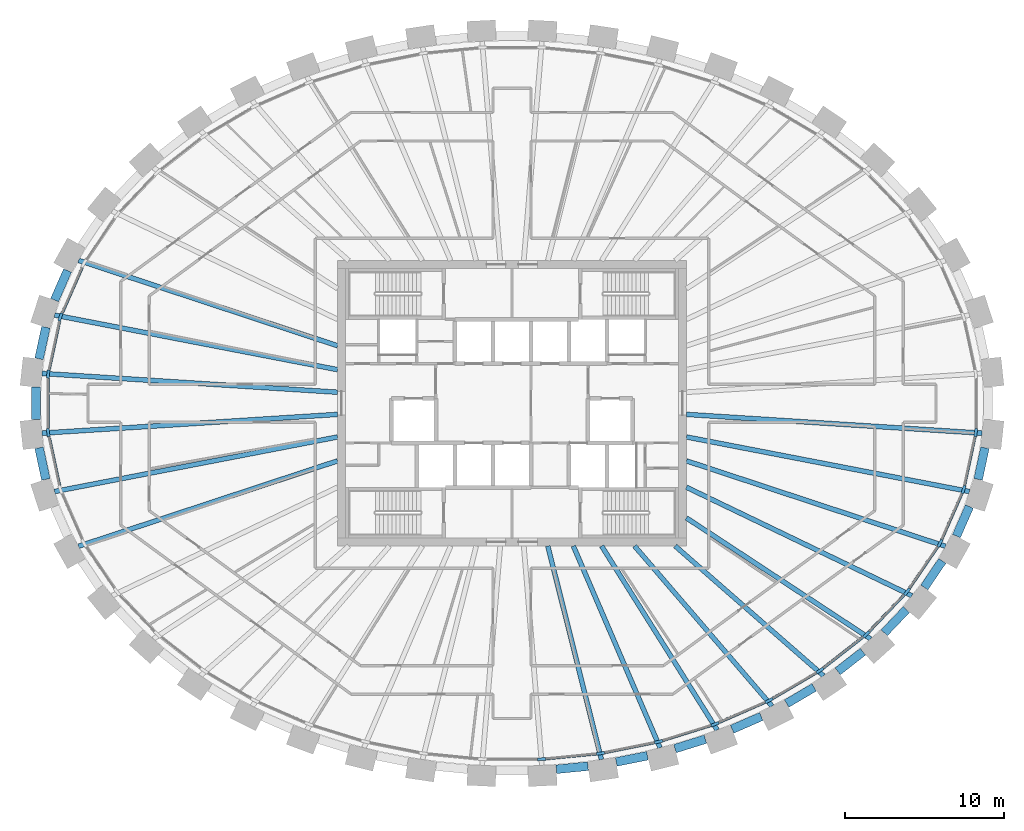
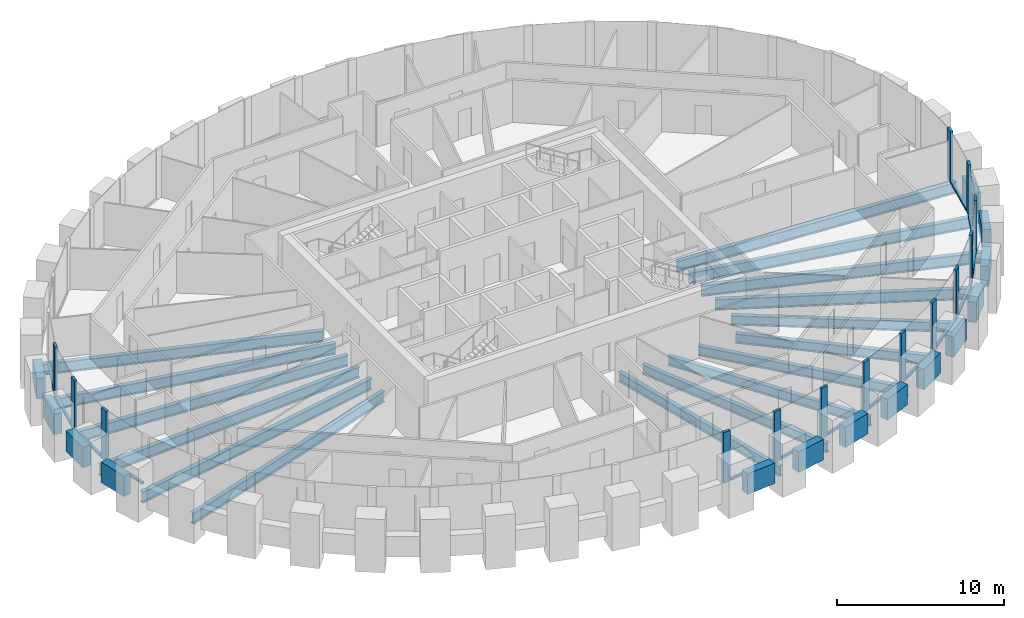
# One storey, part 2 of 11: 30 beams, 28 members, 1 element without a shape of its own.
"""IFC4 building model written with IfcOpenShell, lengths in metres."""

from ifc_helpers import new_model, si_unit, direction, frame, origin, origin_2d, place, context, subcontext, project, spatial, rectangle, i_section, extrude, source, transform, mapped, material, material_profile, profile_set, type_object, element, aggregate, save


model = new_model("IFC4")

# Units and contexts
model_context = context("Model", 3, precision=1e-05, world=origin(), true_north=direction((0.0, 1.0)))
body_context = subcontext(model_context, "Body", "Model", "MODEL_VIEW")
ifc_project = project(units=[si_unit("LENGTHUNIT", "METRE"), si_unit("AREAUNIT", "SQUARE_METRE"), si_unit("VOLUMEUNIT", "CUBIC_METRE"), si_unit("PLANEANGLEUNIT", "RADIAN"), si_unit("MASSUNIT", "GRAM", prefix="KILO")], contexts=[model_context])

# Site, building, storey
site_placement = place(None, origin())
site = spatial("IfcSite", under=ifc_project, at=site_placement, CompositionType="ELEMENT")
building_placement = place(site_placement, origin())
building = spatial("IfcBuilding", under=site, at=building_placement, Name="Embergate Tower", CompositionType="ELEMENT")
storey_placement = place(building_placement, frame((0.0, 0.0, 305.199951171875)))
storey = spatial("IfcBuildingStorey", under=building, at=storey_placement, Name="L71", CompositionType="ELEMENT", Elevation=305.199951171875)

# Beams
ifc_material_1 = material(Name="Concrete C50", Category="concrete")
ifc_material_profile_1 = material_profile(ifc_material_1, rectangle(XDim=0.550048828125, YDim=1.5, at=origin_2d()), Name="RC 550x1500")
ifc_profile_set_1 = profile_set([ifc_material_profile_1], Name="Concrete C50")
beam_type_1 = type_object("IfcBeamType", Name="Spandrel beam RC 550x1500 C50", PredefinedType="BEAM", material=ifc_profile_set_1)
shared_shape_1 = source(origin(), body_context, "Body", "SweptSolid", [
    extrude(rectangle(XDim=0.550048828125, YDim=1.5, at=origin_2d()), origin(), (0.0, 0.0, 1.0), 2.034423828125),
])
for number, where, z_axis, x_axis, name in (
    (1, (-29.39697265625, 4.797119140625, 0.0), (-0.209897885741, -0.977723313398, 0.0), (0.977723313398, -0.209897885741, 0.0), "SPN-L71-20"),
    (2, (-29.823974609375, -2.80810546875, 0.0), (0.209897885741, -0.977723313398, 0.0), (0.977723313398, 0.209897885741, 0.0), "SPN-L71-22"),
    (3, (29.39697265625, -4.797119140625, 0.0), (0.209897885741, 0.977723313398, 0.0), (-0.977723313398, 0.209897885741, 0.0), "SPN-L71-42"),
):
    element("IfcBeam", number, at=place(storey_placement, frame(where, z_axis=z_axis, x_axis=x_axis)), inside=storey, type_object=beam_type_1, Name=name, PredefinedType="BEAM", context=body_context, shape_type="MappedRepresentation", body=[
        mapped(shared_shape_1, transform((0.0, 0.0, 0.0))),
    ])
shared_shape_2 = source(origin(), body_context, "Body", "SweptSolid", [
    extrude(rectangle(XDim=0.550048828125, YDim=1.5, at=origin_2d()), origin(), (0.0, 0.0, 1.0), 2.03125),
])
for number, where, z_axis, x_axis, name in (
    (4, (-28.027099609375, 8.3701171875, 0.0), (-0.401695096335, -0.915773470669, 0.0), (0.915773470669, -0.401695096335, 0.0), "SPN-L71-19"),
    (5, (28.027099609375, -8.3701171875, 0.0), (0.401695096335, 0.915773470669, 0.0), (-0.915773470669, 0.401695096335, 0.0), "SPN-L71-41"),
):
    element("IfcBeam", number, at=place(storey_placement, frame(where, z_axis=z_axis, x_axis=x_axis)), inside=storey, type_object=beam_type_1, Name=name, PredefinedType="BEAM", context=body_context, shape_type="MappedRepresentation", body=[
        mapped(shared_shape_2, transform((0.0, 0.0, 0.0))),
    ])
shared_shape_3 = source(origin(), body_context, "Body", "SweptSolid", [
    extrude(rectangle(XDim=0.550048828125, YDim=1.5, at=origin_2d()), origin(), (0.0, 0.0, 1.0), 2.02392578125),
])
beam_1_placement = place(storey_placement, frame((26.0, -11.60888671875, 0.0), z_axis=(0.562220937061, 0.826987072408, 0.0), x_axis=(-0.826987072408, 0.562220937061, 0.0)))
element("IfcBeam", 6, at=beam_1_placement, inside=storey, type_object=beam_type_1, Name="SPN-L71-40", PredefinedType="BEAM", context=body_context, shape_type="MappedRepresentation", body=[
    mapped(shared_shape_3, transform((0.0, 0.0, 0.0))),
])
shared_shape_4 = source(origin(), body_context, "Body", "SweptSolid", [
    extrude(rectangle(XDim=0.550048828125, YDim=1.5, at=origin_2d()), origin(), (0.0, 0.0, 1.0), 2.0185546875),
])
beam_2_placement = place(storey_placement, frame((23.47607421875, -14.469970703125, 0.0), z_axis=(0.690032605045, 0.723778283714, 0.0), x_axis=(-0.723778283714, 0.690032605045, 0.0)))
element("IfcBeam", 7, at=beam_2_placement, inside=storey, type_object=beam_type_1, Name="SPN-L71-39", PredefinedType="BEAM", context=body_context, shape_type="MappedRepresentation", body=[
    mapped(shared_shape_4, transform((0.0, 0.0, 0.0))),
])
shared_shape_5 = source(origin(), body_context, "Body", "SweptSolid", [
    extrude(rectangle(XDim=0.550048828125, YDim=1.5, at=origin_2d()), origin(), (0.0, 0.0, 1.0), 2.011962890625),
])
beam_3_placement = place(storey_placement, frame((20.5419921875, -16.902099609375, 0.0), z_axis=(0.788259795351, 0.615342583471, 0.0), x_axis=(-0.615342583471, 0.788259795351, 0.0)))
element("IfcBeam", 8, at=beam_3_placement, inside=storey, type_object=beam_type_1, Name="SPN-L71-38", PredefinedType="BEAM", context=body_context, shape_type="MappedRepresentation", body=[
    mapped(shared_shape_5, transform((0.0, 0.0, 0.0))),
])
shared_shape_6 = source(origin(), body_context, "Body", "SweptSolid", [
    extrude(rectangle(XDim=0.550048828125, YDim=1.5, at=origin_2d()), origin(), (0.0, 0.0, 1.0), 2.008056640625),
])
beam_4_placement = place(storey_placement, frame((17.322021484375, -18.931884765625, 0.0), z_axis=(0.86201859197, 0.506876658663, 0.0), x_axis=(-0.506876658663, 0.86201859197, 0.0)))
element("IfcBeam", 9, at=beam_4_placement, inside=storey, type_object=beam_type_1, Name="SPN-L71-37", PredefinedType="BEAM", context=body_context, shape_type="MappedRepresentation", body=[
    mapped(shared_shape_6, transform((0.0, 0.0, 0.0))),
])
shared_shape_7 = source(origin(), body_context, "Body", "SweptSolid", [
    extrude(rectangle(XDim=0.550048828125, YDim=1.5, at=origin_2d()), origin(), (0.0, 0.0, 1.0), 2.0068359375),
])
beam_5_placement = place(storey_placement, frame((13.8798828125, -20.552978515625, 0.0), z_axis=(0.916455842534, 0.400135837793, 0.0), x_axis=(-0.400135837793, 0.916455842534, 0.0)))
element("IfcBeam", 10, at=beam_5_placement, inside=storey, type_object=beam_type_1, Name="SPN-L71-36", PredefinedType="BEAM", context=body_context, shape_type="MappedRepresentation", body=[
    mapped(shared_shape_7, transform((0.0, 0.0, 0.0))),
])
shared_shape_8 = source(origin(), body_context, "Body", "SweptSolid", [
    extrude(rectangle(XDim=0.550048828125, YDim=1.5, at=origin_2d()), origin(), (0.0, 0.0, 1.0), 2.0048828125),
])
beam_6_placement = place(storey_placement, frame((10.280029296875, -21.778076171875, 0.0), z_axis=(0.954756929567, 0.297387298725, 0.0), x_axis=(-0.297387298725, 0.954756929567, 0.0)))
element("IfcBeam", 11, at=beam_6_placement, inside=storey, type_object=beam_type_1, Name="SPN-L71-35", PredefinedType="BEAM", context=body_context, shape_type="MappedRepresentation", body=[
    mapped(shared_shape_8, transform((0.0, 0.0, 0.0))),
])
shared_shape_9 = source(origin(), body_context, "Body", "SweptSolid", [
    extrude(rectangle(XDim=0.550048828125, YDim=1.5, at=origin_2d()), origin(), (0.0, 0.0, 1.0), 2.003173828125),
])
beam_7_placement = place(storey_placement, frame((6.572021484375, -22.617919921875, 0.0), z_axis=(0.980364457571, 0.197194143753, 0.0), x_axis=(-0.197194143753, 0.980364457571, 0.0)))
element("IfcBeam", 12, at=beam_7_placement, inside=storey, type_object=beam_type_1, Name="SPN-L71-34", PredefinedType="BEAM", context=body_context, shape_type="MappedRepresentation", body=[
    mapped(shared_shape_9, transform((0.0, 0.0, 0.0))),
])
shared_shape_10 = source(origin(), body_context, "Body", "SweptSolid", [
    extrude(rectangle(XDim=0.550048828125, YDim=1.5, at=origin_2d()), origin(), (0.0, 0.0, 1.0), 2.00341796875),
])
beam_8_placement = place(storey_placement, frame((2.798095703125, -23.0791015625, 0.0), z_axis=(0.995201107697, 0.097850678276, 0.0), x_axis=(-0.097850678276, 0.995201107697, 0.0)))
element("IfcBeam", 13, at=beam_8_placement, inside=storey, type_object=beam_type_1, Name="SPN-L71-33", PredefinedType="BEAM", context=body_context, shape_type="MappedRepresentation", body=[
    mapped(shared_shape_10, transform((0.0, 0.0, 0.0))),
])
shared_shape_11 = source(origin(), body_context, "Body", "SweptSolid", [
    extrude(rectangle(XDim=0.550048828125, YDim=1.5, at=origin_2d()), origin(), (0.0, 0.0, 1.0), 2.0361328125),
])
beam_9_placement = place(storey_placement, frame((-30.014892578125, 1.01806640625, 0.0), z_axis=(0.0, -1.0, 0.0), x_axis=(1.0, 0.0, 0.0)))
element("IfcBeam", 14, at=beam_9_placement, inside=storey, type_object=beam_type_1, Name="SPN-L71-21", PredefinedType="BEAM", context=body_context, shape_type="MappedRepresentation", body=[
    mapped(shared_shape_11, transform((0.0, 0.0, 0.0))),
])
ifc_material_2 = material(Name="Steel Q355B", Category="steel")
ifc_material_profile_2 = material_profile(ifc_material_2, i_section(OverallWidth=0.300048828125, OverallDepth=0.800048828125, WebThickness=0.013916015625, FlangeThickness=0.02587890625, FilletRadius=0.028076171875, at=origin_2d()), Name="HN 800x300x14x26")
ifc_profile_set_2 = profile_set([ifc_material_profile_2], Name="Steel Q355 grade B")
beam_type_2 = type_object("IfcBeamType", Name="Radial girder HN 800x300x14x26", PredefinedType="BEAM", material=ifc_profile_set_2)
shared_shape_12 = source(origin(), body_context, "Body", "SweptSolid", [
    extrude(i_section(OverallWidth=0.300048828125, OverallDepth=0.800048828125, WebThickness=0.013916015625, FlangeThickness=0.02587890625, FilletRadius=0.028076171875, at=origin_2d()), origin(), (0.0, 0.0, 1.0), 18.677490234375),
])
for number, where, z_axis, x_axis, name in (
    (15, (-29.639892578125, 1.883056640625, -0.599853515625), (0.997988431548, -0.063396297175, 0.0), (0.063396297175, 0.997988431548, 0.0), "GIR-L71-21"),
    (16, (-29.639892578125, -1.883056640625, -0.599853515625), (0.997988431548, 0.063396297175, 0.0), (-0.063396297175, 0.997988431548, 0.0), "GIR-L71-22"),
    (17, (29.639892578125, -1.883056640625, -0.599853515625), (-0.997988431548, 0.063396297175, 0.0), (-0.063396297175, -0.997988431548, 0.0), "GIR-L71-43"),
):
    element("IfcBeam", number, at=place(storey_placement, frame(where, z_axis=z_axis, x_axis=x_axis)), inside=storey, type_object=beam_type_2, Name=name, PredefinedType="BEAM", context=body_context, shape_type="MappedRepresentation", body=[
        mapped(shared_shape_12, transform((0.0, 0.0, 0.0))),
    ])
shared_shape_13 = source(origin(), body_context, "Body", "SweptSolid", [
    extrude(i_section(OverallWidth=0.300048828125, OverallDepth=0.800048828125, WebThickness=0.013916015625, FlangeThickness=0.02587890625, FilletRadius=0.028076171875, at=origin_2d()), origin(), (0.0, 0.0, 1.0), 18.177001953125),
])
for number, where, z_axis, x_axis, name in (
    (18, (-28.847900390625, 5.56494140625, -0.599853515625), (0.981898318419, -0.189408796749, 0.0), (0.189408796749, 0.981898318419, 0.0), "GIR-L71-20"),
    (19, (-28.847900390625, -5.56494140625, -0.599853515625), (0.981898318419, 0.189408796749, 0.0), (-0.189408796749, 0.981898318419, 0.0), "GIR-L71-23"),
    (20, (28.847900390625, -5.56494140625, -0.599853515625), (-0.981898318419, 0.189408796749, 0.0), (-0.189408796749, -0.981898318419, 0.0), "GIR-L71-42"),
):
    element("IfcBeam", number, at=place(storey_placement, frame(where, z_axis=z_axis, x_axis=x_axis)), inside=storey, type_object=beam_type_2, Name=name, PredefinedType="BEAM", context=body_context, shape_type="MappedRepresentation", body=[
        mapped(shared_shape_13, transform((0.0, 0.0, 0.0))),
    ])
shared_shape_14 = source(origin(), body_context, "Body", "SweptSolid", [
    extrude(i_section(OverallWidth=0.300048828125, OverallDepth=0.800048828125, WebThickness=0.013916015625, FlangeThickness=0.02587890625, FilletRadius=0.028076171875, at=origin_2d()), origin(), (0.0, 0.0, 1.0), 17.2001953125),
])
for number, where, z_axis, x_axis, name in (
    (21, (-27.3349609375, 9.014892578125, -0.599853515625), (0.949690470212, -0.313190055378, 0.0), (0.313190055378, 0.949690470212, 0.0), "GIR-L71-19"),
    (22, (-27.3349609375, -9.014892578125, -0.599853515625), (0.949690470212, 0.313190055378, 0.0), (-0.313190055378, 0.949690470212, 0.0), "GIR-L71-24"),
    (23, (27.3349609375, -9.014892578125, -0.599853515625), (-0.949690470212, 0.313190055378, 0.0), (-0.313190055378, -0.949690470212, 0.0), "GIR-L71-41"),
):
    element("IfcBeam", number, at=place(storey_placement, frame(where, z_axis=z_axis, x_axis=x_axis)), inside=storey, type_object=beam_type_2, Name=name, PredefinedType="BEAM", context=body_context, shape_type="MappedRepresentation", body=[
        mapped(shared_shape_14, transform((0.0, 0.0, 0.0))),
    ])
shared_shape_15 = source(origin(), body_context, "Body", "SweptSolid", [
    extrude(i_section(OverallWidth=0.300048828125, OverallDepth=0.800048828125, WebThickness=0.013916015625, FlangeThickness=0.02587890625, FilletRadius=0.028076171875, at=origin_2d()), origin(), (0.0, 0.0, 1.0), 15.775634765625),
])
beam_10_placement = place(storey_placement, frame((25.216064453125, -12.131103515625, -0.599853515625), z_axis=(-0.901141870193, 0.433524312795, 0.0), x_axis=(-0.433524312795, -0.901141870193, 0.0)))
element("IfcBeam", 24, at=beam_10_placement, inside=storey, type_object=beam_type_2, Name="GIR-L71-40", PredefinedType="BEAM", context=body_context, shape_type="MappedRepresentation", body=[
    mapped(shared_shape_15, transform((0.0, 0.0, 0.0))),
])
ifc_material_profile_3 = material_profile(ifc_material_2, i_section(OverallWidth=0.300048828125, OverallDepth=0.699951171875, WebThickness=0.012939453125, FlangeThickness=0.02392578125, FilletRadius=0.01806640625, at=origin_2d()), Name="HN 700x300x13x24")
ifc_profile_set_3 = profile_set([ifc_material_profile_3], Name="Steel Q355 grade B")
beam_type_3 = type_object("IfcBeamType", Name="Radial girder HN 700x300x13x24", PredefinedType="BEAM", material=ifc_profile_set_3)
shared_shape_16 = source(origin(), body_context, "Body", "SweptSolid", [
    extrude(i_section(OverallWidth=0.300048828125, OverallDepth=0.699951171875, WebThickness=0.012939453125, FlangeThickness=0.02392578125, FilletRadius=0.01806640625, at=origin_2d()), origin(), (0.0, 0.0, 1.0), 13.89794921875),
])
beam_11_placement = place(storey_placement, frame((22.614990234375, -14.85888671875, -0.550048828125), z_axis=(-0.835734272266, 0.549134069386, 0.0), x_axis=(-0.549134069386, -0.835734272266, 0.0)))
element("IfcBeam", 25, at=beam_11_placement, inside=storey, type_object=beam_type_3, Name="GIR-L71-39", PredefinedType="BEAM", context=body_context, shape_type="MappedRepresentation", body=[
    mapped(shared_shape_16, transform((0.0, 0.0, 0.0))),
])
shared_shape_17 = source(origin(), body_context, "Body", "SweptSolid", [
    extrude(i_section(OverallWidth=0.300048828125, OverallDepth=0.699951171875, WebThickness=0.012939453125, FlangeThickness=0.02392578125, FilletRadius=0.01806640625, at=origin_2d()), origin(), (0.0, 0.0, 1.0), 12.424072265625),
])
beam_12_placement = place(storey_placement, frame((19.64306640625, -17.178955078125, -0.550048828125), z_axis=(-0.752739789834, 0.658318166847, 0.0), x_axis=(-0.658318166847, -0.752739789834, 0.0)))
element("IfcBeam", 26, at=beam_12_placement, inside=storey, type_object=beam_type_3, Name="GIR-L71-38", PredefinedType="BEAM", context=body_context, shape_type="MappedRepresentation", body=[
    mapped(shared_shape_17, transform((0.0, 0.0, 0.0))),
])
shared_shape_18 = source(origin(), body_context, "Body", "SweptSolid", [
    extrude(i_section(OverallWidth=0.300048828125, OverallDepth=0.699951171875, WebThickness=0.012939453125, FlangeThickness=0.02392578125, FilletRadius=0.01806640625, at=origin_2d()), origin(), (0.0, 0.0, 1.0), 13.300048828125),
])
beam_13_placement = place(storey_placement, frame((16.39306640625, -19.090087890625, -0.550048828125), z_axis=(-0.651501585067, 0.758647272885, 0.0), x_axis=(-0.758647272885, -0.651501585067, 0.0)))
element("IfcBeam", 27, at=beam_13_placement, inside=storey, type_object=beam_type_3, Name="GIR-L71-37", PredefinedType="BEAM", context=body_context, shape_type="MappedRepresentation", body=[
    mapped(shared_shape_18, transform((0.0, 0.0, 0.0))),
])
shared_shape_19 = source(origin(), body_context, "Body", "SweptSolid", [
    extrude(i_section(OverallWidth=0.300048828125, OverallDepth=0.699951171875, WebThickness=0.012939453125, FlangeThickness=0.02392578125, FilletRadius=0.01806640625, at=origin_2d()), origin(), (0.0, 0.0, 1.0), 13.698486328125),
])
beam_14_placement = place(storey_placement, frame((12.93798828125, -20.60009765625, -0.550048828125), z_axis=(-0.5318784163, 0.846820730895, 0.0), x_axis=(-0.846820730895, -0.5318784163, 0.0)))
element("IfcBeam", 28, at=beam_14_placement, inside=storey, type_object=beam_type_3, Name="GIR-L71-36", PredefinedType="BEAM", context=body_context, shape_type="MappedRepresentation", body=[
    mapped(shared_shape_19, transform((0.0, 0.0, 0.0))),
])
shared_shape_20 = source(origin(), body_context, "Body", "SweptSolid", [
    extrude(i_section(OverallWidth=0.300048828125, OverallDepth=0.699951171875, WebThickness=0.012939453125, FlangeThickness=0.02392578125, FilletRadius=0.01806640625, at=origin_2d()), origin(), (0.0, 0.0, 1.0), 13.846435546875),
])
beam_15_placement = place(storey_placement, frame((9.3369140625, -21.720947265625, -0.550048828125), z_axis=(-0.394906469697, 0.918721328909, 0.0), x_axis=(-0.918721328909, -0.394906469697, 0.0)))
element("IfcBeam", 29, at=beam_15_placement, inside=storey, type_object=beam_type_3, Name="GIR-L71-35", PredefinedType="BEAM", context=body_context, shape_type="MappedRepresentation", body=[
    mapped(shared_shape_20, transform((0.0, 0.0, 0.0))),
])
shared_shape_21 = source(origin(), body_context, "Body", "SweptSolid", [
    extrude(i_section(OverallWidth=0.300048828125, OverallDepth=0.699951171875, WebThickness=0.012939453125, FlangeThickness=0.02392578125, FilletRadius=0.01806640625, at=origin_2d()), origin(), (0.0, 0.0, 1.0), 13.88037109375),
])
beam_16_placement = place(storey_placement, frame((5.638916015625, -22.462890625, -0.550048828125), z_axis=(-0.243429448645, 0.969918606653, 0.0), x_axis=(-0.969918606653, -0.243429448645, 0.0)))
element("IfcBeam", 30, at=beam_16_placement, inside=storey, type_object=beam_type_3, Name="GIR-L71-34", PredefinedType="BEAM", context=body_context, shape_type="MappedRepresentation", body=[
    mapped(shared_shape_21, transform((0.0, 0.0, 0.0))),
])

# Curtain wall, members
ifc_material_3 = material(Name="Aluminium and glass", Category="aluminium")
curtain_wall_type = type_object("IfcCurtainWallType", Name="Recessed office glazing", PredefinedType="NOTDEFINED", material=ifc_material_3)
curtain_wall_placement = place(storey_placement, origin())
curtain_wall = element("IfcCurtainWall", 31, at=curtain_wall_placement, inside=storey, type_object=curtain_wall_type, Name="Recessed office glazing ring", ObjectType="RECESSED OFFICE GLAZING", PredefinedType="USERDEFINED")
ifc_material_4 = material(Name="Aluminium, thermally broken", Category="aluminium")
ifc_material_profile_4 = material_profile(ifc_material_4, rectangle(XDim=0.179931640625, YDim=0.52001953125, at=origin_2d()), Name="AL 520x180")
ifc_profile_set_4 = profile_set([ifc_material_profile_4], Name="Aluminium, thermally broken")
member_type_1 = type_object("IfcMemberType", Name="Office mullion", PredefinedType="MULLION", material=ifc_profile_set_4)
shared_shape_22 = source(origin(), body_context, "Body", "SweptSolid", [
    extrude(rectangle(XDim=0.179931640625, YDim=0.52001953125, at=origin_2d()), origin(), (0.0, 0.0, 1.0), 3.699951171875),
])
member_1_placement = place(storey_placement, frame((-28.47705078125, 5.44384765625, 0.0), z_axis=(0.0, 0.0, 1.0), x_axis=(0.951492965233, -0.307670500881, 0.0)))
member_1 = element("IfcMember", 32, at=member_1_placement, type_object=member_type_1, Name="CW mullion 21", PredefinedType="MULLION", context=body_context, shape_type="MappedRepresentation", body=[
    mapped(shared_shape_22, transform((0.0, 0.0, 0.0))),
])
member_2_placement = place(storey_placement, frame((-29.252197265625, 1.84130859375, 0.0), z_axis=(0.0, 0.0, 1.0), x_axis=(0.994384215926, -0.105830199459, 0.0)))
member_2 = element("IfcMember", 33, at=member_2_placement, type_object=member_type_1, Name="CW mullion 22", PredefinedType="MULLION", context=body_context, shape_type="MappedRepresentation", body=[
    mapped(shared_shape_22, transform((0.0, 0.0, 0.0))),
])
member_3_placement = place(storey_placement, frame((-29.252197265625, -1.84130859375, 0.0), z_axis=(0.0, 0.0, 1.0), x_axis=(0.994384215926, 0.105830199459, 0.0)))
member_3 = element("IfcMember", 34, at=member_3_placement, type_object=member_type_1, Name="CW mullion 23", PredefinedType="MULLION", context=body_context, shape_type="MappedRepresentation", body=[
    mapped(shared_shape_22, transform((0.0, 0.0, 0.0))),
])
member_4_placement = place(storey_placement, frame((1.86669921875, -22.4423828125, 0.0), z_axis=(0.0, 0.0, 1.0), x_axis=(-0.048971796621, 0.998800161762, 0.0)))
member_4 = element("IfcMember", 35, at=member_4_placement, type_object=member_type_1, Name="CW mullion 34", PredefinedType="MULLION", context=body_context, shape_type="MappedRepresentation", body=[
    mapped(shared_shape_22, transform((0.0, 0.0, 0.0))),
])
member_5_placement = place(storey_placement, frame((5.581787109375, -22.0771484375, 0.0), z_axis=(0.0, 0.0, 1.0), x_axis=(-0.147412382818, 0.989075118174, 0.0)))
member_5 = element("IfcMember", 36, at=member_5_placement, type_object=member_type_1, Name="CW mullion 35", PredefinedType="MULLION", context=body_context, shape_type="MappedRepresentation", body=[
    mapped(shared_shape_22, transform((0.0, 0.0, 0.0))),
])
member_6_placement = place(storey_placement, frame((9.240478515625, -21.343505859375, 0.0), z_axis=(0.0, 0.0, 1.0), x_axis=(-0.24731188137, 0.968935928394, 0.0)))
member_6 = element("IfcMember", 37, at=member_6_placement, type_object=member_type_1, Name="CW mullion 36", PredefinedType="MULLION", context=body_context, shape_type="MappedRepresentation", body=[
    mapped(shared_shape_22, transform((0.0, 0.0, 0.0))),
])
member_7_placement = place(storey_placement, frame((12.801513671875, -20.234619140625, 0.0), z_axis=(0.0, 0.0, 1.0), x_axis=(-0.349501047589, 0.936935973124, 0.0)))
member_7 = element("IfcMember", 38, at=member_7_placement, type_object=member_type_1, Name="CW mullion 37", PredefinedType="MULLION", context=body_context, shape_type="MappedRepresentation", body=[
    mapped(shared_shape_22, transform((0.0, 0.0, 0.0))),
])
member_8_placement = place(storey_placement, frame((16.2158203125, -18.741455078125, 0.0), z_axis=(0.0, 0.0, 1.0), x_axis=(-0.454508271251, 0.890742516872, 0.0)))
member_8 = element("IfcMember", 39, at=member_8_placement, type_object=member_type_1, Name="CW mullion 38", PredefinedType="MULLION", context=body_context, shape_type="MappedRepresentation", body=[
    mapped(shared_shape_22, transform((0.0, 0.0, 0.0))),
])
member_9_placement = place(storey_placement, frame((19.42431640625, -16.855224609375, 0.0), z_axis=(0.0, 0.0, 1.0), x_axis=(-0.56221328843, 0.826992272221, 0.0)))
member_9 = element("IfcMember", 40, at=member_9_placement, type_object=member_type_1, Name="CW mullion 39", PredefinedType="MULLION", context=body_context, shape_type="MappedRepresentation", body=[
    mapped(shared_shape_22, transform((0.0, 0.0, 0.0))),
])
member_10_placement = place(storey_placement, frame((22.353759765625, -14.56884765625, 0.0), z_axis=(0.0, 0.0, 1.0), x_axis=(-0.671220065284, 0.741258135847, 0.0)))
member_10 = element("IfcMember", 41, at=member_10_placement, type_object=member_type_1, Name="CW mullion 40", PredefinedType="MULLION", context=body_context, shape_type="MappedRepresentation", body=[
    mapped(shared_shape_22, transform((0.0, 0.0, 0.0))),
])
member_11_placement = place(storey_placement, frame((24.913330078125, -11.884765625, 0.0), z_axis=(0.0, 0.0, 1.0), x_axis=(-0.777863789852, 0.628432911643, 0.0)))
member_11 = element("IfcMember", 42, at=member_11_placement, type_object=member_type_1, Name="CW mullion 41", PredefinedType="MULLION", context=body_context, shape_type="MappedRepresentation", body=[
    mapped(shared_shape_22, transform((0.0, 0.0, 0.0))),
])
member_12_placement = place(storey_placement, frame((26.994140625, -8.824951171875, 0.0), z_axis=(0.0, 0.0, 1.0), x_axis=(-0.87499344622, 0.484134763338, 0.0)))
member_12 = element("IfcMember", 43, at=member_12_placement, type_object=member_type_1, Name="CW mullion 42", PredefinedType="MULLION", context=body_context, shape_type="MappedRepresentation", body=[
    mapped(shared_shape_22, transform((0.0, 0.0, 0.0))),
])
member_13_placement = place(storey_placement, frame((28.47705078125, -5.44384765625, 0.0), z_axis=(0.0, 0.0, 1.0), x_axis=(-0.951492965233, 0.307670500881, 0.0)))
member_13 = element("IfcMember", 44, at=member_13_placement, type_object=member_type_1, Name="CW mullion 43", PredefinedType="MULLION", context=body_context, shape_type="MappedRepresentation", body=[
    mapped(shared_shape_22, transform((0.0, 0.0, 0.0))),
])
member_14_placement = place(storey_placement, frame((29.252197265625, -1.84130859375, 0.0), z_axis=(0.0, 0.0, 1.0), x_axis=(-0.994384215926, 0.105830199459, 0.0)))
member_14 = element("IfcMember", 45, at=member_14_placement, type_object=member_type_1, Name="CW mullion 44", PredefinedType="MULLION", context=body_context, shape_type="MappedRepresentation", body=[
    mapped(shared_shape_22, transform((0.0, 0.0, 0.0))),
])
ifc_material_profile_5 = material_profile(ifc_material_4, rectangle(XDim=0.179931640625, YDim=0.14990234375, at=origin_2d()), Name="AL 150x180")
ifc_profile_set_5 = profile_set([ifc_material_profile_5], Name="Aluminium, thermally broken")
member_type_2 = type_object("IfcMemberType", Name="Office sill transom", PredefinedType="USERDEFINED", material=ifc_profile_set_5)
shared_shape_23 = source(origin(), body_context, "Body", "SweptSolid", [
    extrude(rectangle(XDim=0.179931640625, YDim=0.14990234375, at=origin_2d()), origin(), (0.0, 0.0, 1.0), 3.1650390625),
])
member_15_placement = place(storey_placement, frame((-28.53173828125, 5.189697265625, 0.074951171875), z_axis=(-0.210350798958, -0.977625972127, 0.0), x_axis=(0.977625972127, -0.210350798958, 0.0)))
member_15 = element("IfcMember", 46, at=member_15_placement, type_object=member_type_2, Name="CW transom 21.1", ObjectType="TRANSOM", PredefinedType="USERDEFINED", context=body_context, shape_type="MappedRepresentation", body=[
    mapped(shared_shape_23, transform((0.0, 0.0, 0.0))),
])
member_16_placement = place(storey_placement, frame((-29.197509765625, -2.095458984375, 0.074951171875), z_axis=(0.210350798958, -0.977625972127, 0.0), x_axis=(0.977625972127, 0.210350798958, 0.0)))
member_16 = element("IfcMember", 47, at=member_16_placement, type_object=member_type_2, Name="CW transom 23.1", ObjectType="TRANSOM", PredefinedType="USERDEFINED", context=body_context, shape_type="MappedRepresentation", body=[
    mapped(shared_shape_23, transform((0.0, 0.0, 0.0))),
])
member_17_placement = place(storey_placement, frame((28.53173828125, -5.189697265625, 0.074951171875), z_axis=(0.210350798958, 0.977625972127, 0.0), x_axis=(-0.977625972127, 0.210350798958, 0.0)))
member_17 = element("IfcMember", 48, at=member_17_placement, type_object=member_type_2, Name="CW transom 43.1", ObjectType="TRANSOM", PredefinedType="USERDEFINED", context=body_context, shape_type="MappedRepresentation", body=[
    mapped(shared_shape_23, transform((0.0, 0.0, 0.0))),
])
shared_shape_24 = source(origin(), body_context, "Body", "SweptSolid", [
    extrude(rectangle(XDim=0.179931640625, YDim=0.14990234375, at=origin_2d()), origin(), (0.0, 0.0, 1.0), 3.172119140625),
])
member_18_placement = place(storey_placement, frame((-27.0986328125, 8.5869140625, 0.074951171875), z_axis=(-0.401606005278, -0.915812544424, 0.0), x_axis=(0.915812544424, -0.401606005278, 0.0)))
member_18 = element("IfcMember", 49, at=member_18_placement, type_object=member_type_2, Name="CW transom 20.1", ObjectType="TRANSOM", PredefinedType="USERDEFINED", context=body_context, shape_type="MappedRepresentation", body=[
    mapped(shared_shape_24, transform((0.0, 0.0, 0.0))),
])
member_19_placement = place(storey_placement, frame((27.0986328125, -8.5869140625, 0.074951171875), z_axis=(0.401606005278, 0.915812544424, 0.0), x_axis=(-0.915812544424, 0.401606005278, 0.0)))
member_19 = element("IfcMember", 50, at=member_19_placement, type_object=member_type_2, Name="CW transom 42.1", ObjectType="TRANSOM", PredefinedType="USERDEFINED", context=body_context, shape_type="MappedRepresentation", body=[
    mapped(shared_shape_24, transform((0.0, 0.0, 0.0))),
])
shared_shape_25 = source(origin(), body_context, "Body", "SweptSolid", [
    extrude(rectangle(XDim=0.179931640625, YDim=0.14990234375, at=origin_2d()), origin(), (0.0, 0.0, 1.0), 3.180419921875),
])
member_20_placement = place(storey_placement, frame((25.0595703125, -11.669921875, 0.074951171875), z_axis=(0.562276427382, 0.826949345009, 0.0), x_axis=(-0.826949345009, 0.562276427382, 0.0)))
member_20 = element("IfcMember", 51, at=member_20_placement, type_object=member_type_2, Name="CW transom 41.1", ObjectType="TRANSOM", PredefinedType="USERDEFINED", context=body_context, shape_type="MappedRepresentation", body=[
    mapped(shared_shape_25, transform((0.0, 0.0, 0.0))),
])
shared_shape_26 = source(origin(), body_context, "Body", "SweptSolid", [
    extrude(rectangle(XDim=0.179931640625, YDim=0.14990234375, at=origin_2d()), origin(), (0.0, 0.0, 1.0), 3.188720703125),
])
member_21_placement = place(storey_placement, frame((22.533203125, -14.380615234375, 0.074951171875), z_axis=(0.690140615527, 0.723675293761, 0.0), x_axis=(-0.723675293761, 0.690140615527, 0.0)))
member_21 = element("IfcMember", 52, at=member_21_placement, type_object=member_type_2, Name="CW transom 40.1", ObjectType="TRANSOM", PredefinedType="USERDEFINED", context=body_context, shape_type="MappedRepresentation", body=[
    mapped(shared_shape_26, transform((0.0, 0.0, 0.0))),
])
shared_shape_27 = source(origin(), body_context, "Body", "SweptSolid", [
    extrude(rectangle(XDim=0.179931640625, YDim=0.14990234375, at=origin_2d()), origin(), (0.0, 0.0, 1.0), 3.196044921875),
])
member_22_placement = place(storey_placement, frame((19.629150390625, -16.6953125, 0.074951171875), z_axis=(0.788302228684, 0.615288222098, 0.0), x_axis=(-0.615288222098, 0.788302228684, 0.0)))
member_22 = element("IfcMember", 53, at=member_22_placement, type_object=member_type_2, Name="CW transom 39.1", ObjectType="TRANSOM", PredefinedType="USERDEFINED", context=body_context, shape_type="MappedRepresentation", body=[
    mapped(shared_shape_27, transform((0.0, 0.0, 0.0))),
])
shared_shape_28 = source(origin(), body_context, "Body", "SweptSolid", [
    extrude(rectangle(XDim=0.179931640625, YDim=0.14990234375, at=origin_2d()), origin(), (0.0, 0.0, 1.0), 3.201904296875),
])
member_23_placement = place(storey_placement, frame((16.43994140625, -18.609619140625, 0.074951171875), z_axis=(0.862053756613, 0.506816851248, 0.0), x_axis=(-0.506816851248, 0.862053756613, 0.0)))
member_23 = element("IfcMember", 54, at=member_23_placement, type_object=member_type_2, Name="CW transom 38.1", ObjectType="TRANSOM", PredefinedType="USERDEFINED", context=body_context, shape_type="MappedRepresentation", body=[
    mapped(shared_shape_28, transform((0.0, 0.0, 0.0))),
])
shared_shape_29 = source(origin(), body_context, "Body", "SweptSolid", [
    extrude(rectangle(XDim=0.179931640625, YDim=0.14990234375, at=origin_2d()), origin(), (0.0, 0.0, 1.0), 3.206298828125),
])
member_24_placement = place(storey_placement, frame((13.039794921875, -20.13037109375, 0.074951171875), z_axis=(0.916225475643, 0.400663047688, 0.0), x_axis=(-0.400663047688, 0.916225475643, 0.0)))
member_24 = element("IfcMember", 55, at=member_24_placement, type_object=member_type_2, Name="CW transom 37.1", ObjectType="TRANSOM", PredefinedType="USERDEFINED", context=body_context, shape_type="MappedRepresentation", body=[
    mapped(shared_shape_29, transform((0.0, 0.0, 0.0))),
])
shared_shape_30 = source(origin(), body_context, "Body", "SweptSolid", [
    extrude(rectangle(XDim=0.179931640625, YDim=0.14990234375, at=origin_2d()), origin(), (0.0, 0.0, 1.0), 3.20947265625),
])
member_25_placement = place(storey_placement, frame((9.489013671875, -21.26611328125, 0.074951171875), z_axis=(0.954765144534, 0.297360923431, 0.0), x_axis=(-0.297360923431, 0.954765144534, 0.0)))
member_25 = element("IfcMember", 56, at=member_25_placement, type_object=member_type_2, Name="CW transom 36.1", ObjectType="TRANSOM", PredefinedType="USERDEFINED", context=body_context, shape_type="MappedRepresentation", body=[
    mapped(shared_shape_30, transform((0.0, 0.0, 0.0))),
])
shared_shape_31 = source(origin(), body_context, "Body", "SweptSolid", [
    extrude(rectangle(XDim=0.179931640625, YDim=0.14990234375, at=origin_2d()), origin(), (0.0, 0.0, 1.0), 3.211669921875),
])
member_26_placement = place(storey_placement, frame((5.836669921875, -22.026123046875, 0.074951171875), z_axis=(0.980472347912, 0.196656998298, 0.0), x_axis=(-0.196656998298, 0.980472347912, 0.0)))
member_26 = element("IfcMember", 57, at=member_26_placement, type_object=member_type_2, Name="CW transom 35.1", ObjectType="TRANSOM", PredefinedType="USERDEFINED", context=body_context, shape_type="MappedRepresentation", body=[
    mapped(shared_shape_31, transform((0.0, 0.0, 0.0))),
])
shared_shape_32 = source(origin(), body_context, "Body", "SweptSolid", [
    extrude(rectangle(XDim=0.179931640625, YDim=0.14990234375, at=origin_2d()), origin(), (0.0, 0.0, 1.0), 3.212890625),
])
member_27_placement = place(storey_placement, frame((2.12548828125, -22.4169921875, 0.074951171875), z_axis=(0.995206508067, 0.097795737641, 0.0), x_axis=(-0.097795737641, 0.995206508067, 0.0)))
member_27 = element("IfcMember", 58, at=member_27_placement, type_object=member_type_2, Name="CW transom 34.1", ObjectType="TRANSOM", PredefinedType="USERDEFINED", context=body_context, shape_type="MappedRepresentation", body=[
    mapped(shared_shape_32, transform((0.0, 0.0, 0.0))),
])
shared_shape_33 = source(origin(), body_context, "Body", "SweptSolid", [
    extrude(rectangle(XDim=0.179931640625, YDim=0.14990234375, at=origin_2d()), origin(), (0.0, 0.0, 1.0), 3.16259765625),
])
member_28_placement = place(storey_placement, frame((-29.252197265625, 1.581298828125, 0.074951171875), z_axis=(0.0, -1.0, 0.0), x_axis=(1.0, 0.0, 0.0)))
member_28 = element("IfcMember", 59, at=member_28_placement, type_object=member_type_2, Name="CW transom 22.1", ObjectType="TRANSOM", PredefinedType="USERDEFINED", context=body_context, shape_type="MappedRepresentation", body=[
    mapped(shared_shape_33, transform((0.0, 0.0, 0.0))),
])
aggregate(curtain_wall, [member_1, member_2, member_3, member_4, member_5, member_6, member_7, member_8, member_9, member_10, member_11, member_12, member_13, member_14, member_18, member_15, member_28, member_16, member_27, member_26, member_25, member_24, member_23, member_22, member_21, member_20, member_19, member_17])

save(model, "model.ifc")
